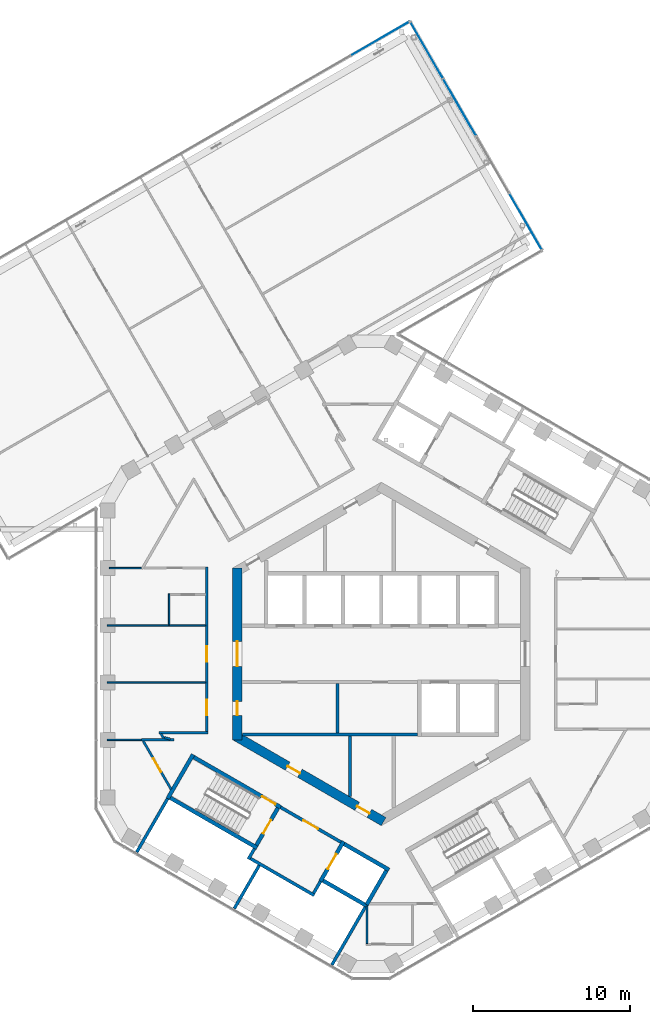
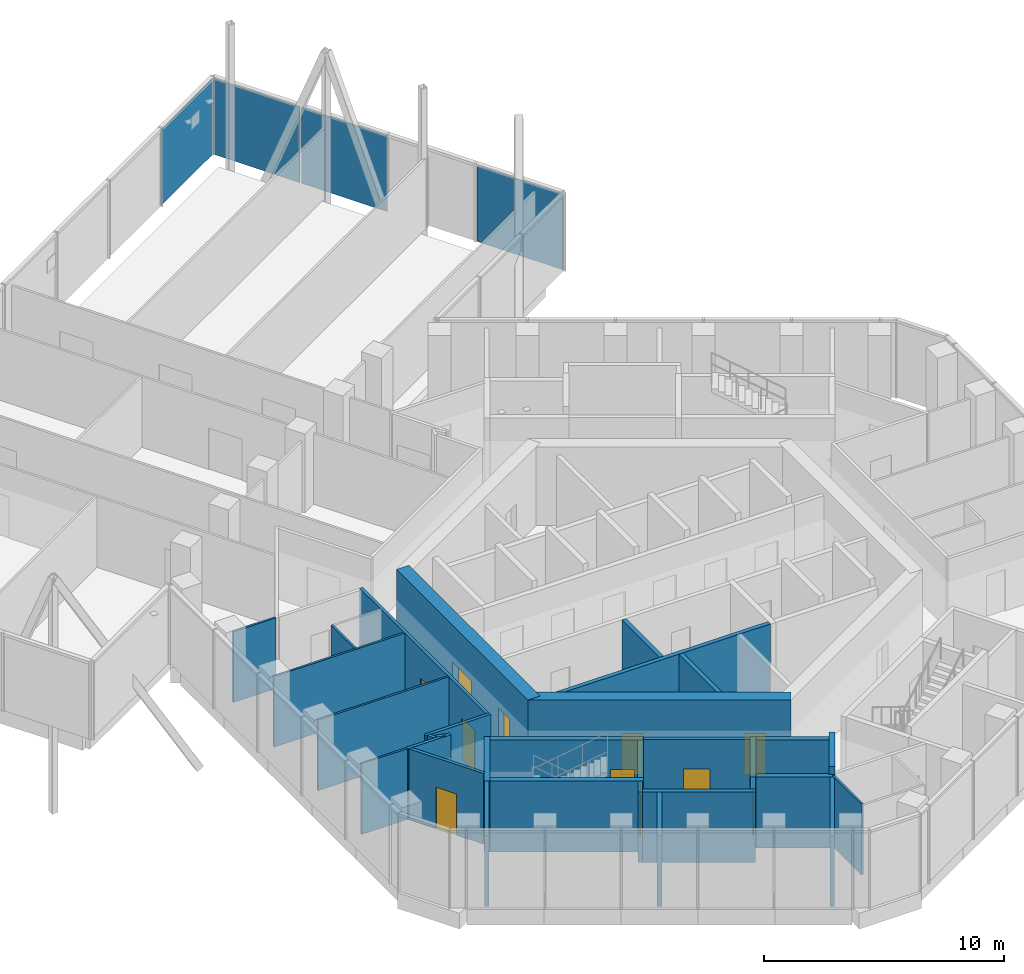
# One storey, part 15 of 21: 32 walls, 11 doors, 4 plates, 11 openings, 2 elements without a shape of their own.
"""IFC4 building model written with IfcOpenShell, lengths in metres."""

from ifc_helpers import new_model, si_unit, direction, frame, frame_2d, origin, origin_2d, place, context, subcontext, project, spatial, rectangle, extrude, material, layer, layer_set, type_object, element, fill, aggregate, save


model = new_model("IFC4")

# Units and contexts
model_context = context("Model", 3, precision=1e-05, world=origin(), true_north=direction((0.0, 1.0)))
body_context = subcontext(model_context, "Body", "Model", "MODEL_VIEW")
ifc_project = project(units=[si_unit("LENGTHUNIT", "METRE"), si_unit("AREAUNIT", "SQUARE_METRE"), si_unit("VOLUMEUNIT", "CUBIC_METRE"), si_unit("PLANEANGLEUNIT", "RADIAN"), si_unit("MASSUNIT", "GRAM", prefix="KILO")], contexts=[model_context])

# Site, building, storey
site_placement = place(None, origin())
site = spatial("IfcSite", under=ifc_project, at=site_placement, CompositionType="ELEMENT")
building_placement = place(site_placement, origin())
building = spatial("IfcBuilding", under=site, at=building_placement, Name="Ayvan Gate Tower", CompositionType="ELEMENT")
storey_placement = place(building_placement, frame((0.0, 0.0, 190.699951171875)))
storey = spatial("IfcBuildingStorey", under=building, at=storey_placement, Name="L51", CompositionType="ELEMENT", Elevation=190.699951171875)

# Curtain wall, plates
ifc_material_1 = material(Name="Bronze anodised aluminium", Category="aluminium")
ifc_layer_1 = layer(ifc_material_1, 0.199951171875)
ifc_layer_set_1 = layer_set([ifc_layer_1], Name="Bronze anodised aluminium")
curtain_wall_type = type_object("IfcCurtainWallType", Name="Stick curtain wall CW-4", PredefinedType="NOTDEFINED", material=ifc_layer_set_1)
curtain_wall_1_placement = place(storey_placement, origin())
curtain_wall_1 = element("IfcCurtainWall", 1, at=curtain_wall_1_placement, inside=storey, type_object=curtain_wall_type, Name="Stick curtain wall CW-4 L51", PredefinedType="NOTDEFINED")
ifc_material_2 = material(Name="Pale anodised aluminium composite panel", Category="aluminium")
ifc_layer_2 = layer(ifc_material_2, 0.028076171875)
ifc_layer_set_2 = layer_set([ifc_layer_2], Name="Pale anodised aluminium composite panel")
plate_type = type_object("IfcPlateType", Name="Stick curtain wall CW-4 solid panel", PredefinedType="CURTAIN_PANEL", material=ifc_layer_set_2)
plate_1_placement = place(storey_placement, frame((9.229736328125, 27.613525390625, 0.0), z_axis=(0.0, 0.0, 1.0), x_axis=(-0.5, 0.866025403784, 0.0)))
plate_1 = element("IfcPlate", 2, at=plate_1_placement, type_object=plate_type, Name="CW-4 solid panel 1", PredefinedType="CURTAIN_PANEL", context=body_context, shape_type="SweptSolid", body=[
    extrude(rectangle(XDim=4.14501953125, YDim=0.028076171875, at=origin_2d()), origin(), (0.0, 0.0, 1.0), 3.860107421875),
])
plate_2_placement = place(storey_placement, frame((5.0048828125, 34.931396484375, 0.0), z_axis=(0.0, 0.0, 1.0), x_axis=(-0.5, 0.866025403784, 0.0)))
plate_2 = element("IfcPlate", 3, at=plate_2_placement, type_object=plate_type, Name="CW-4 solid panel 3", PredefinedType="CURTAIN_PANEL", context=body_context, shape_type="SweptSolid", body=[
    extrude(rectangle(XDim=4.14501953125, YDim=0.028076171875, at=origin_2d()), origin(), (0.0, 0.0, 1.0), 3.860107421875),
])
plate_3_placement = place(storey_placement, frame((2.892333984375, 38.59033203125, 0.0), z_axis=(0.0, 0.0, 1.0), x_axis=(-0.5, 0.866025403784, 0.0)))
plate_3 = element("IfcPlate", 4, at=plate_3_placement, type_object=plate_type, Name="CW-4 solid panel 4", PredefinedType="CURTAIN_PANEL", context=body_context, shape_type="SweptSolid", body=[
    extrude(rectangle(XDim=4.14501953125, YDim=0.028076171875, at=origin_2d()), origin(), (0.0, 0.0, 1.0), 3.860107421875),
])
aggregate(curtain_wall_1, [plate_1, plate_2, plate_3])

# Curtain wall, plate
curtain_wall_2_placement = place(storey_placement, origin())
curtain_wall_2 = element("IfcCurtainWall", 5, at=curtain_wall_2_placement, inside=storey, type_object=curtain_wall_type, Name="Stick curtain wall CW-4 L51", PredefinedType="NOTDEFINED")
plate_4_placement = place(storey_placement, frame((-0.0595703125, 39.325439453125, 0.0), z_axis=(0.0, 0.0, 1.0), x_axis=(-0.866025403784, -0.5, 0.0)))
plate_4 = element("IfcPlate", 6, at=plate_4_placement, type_object=plate_type, Name="CW-4 solid panel 1", PredefinedType="CURTAIN_PANEL", context=body_context, shape_type="SweptSolid", body=[
    extrude(rectangle(XDim=4.2978515625, YDim=0.028076171875, at=origin_2d()), origin(), (0.0, 0.0, 1.0), 3.860107421875),
])
aggregate(curtain_wall_2, [plate_4])

# Wall, openings, doors
ifc_material_3 = material(Name="Concrete C60/75", Category="concrete")
ifc_layer_3 = layer(ifc_material_3, 0.60009765625)
ifc_layer_set_3 = layer_set([ifc_layer_3], Name="Concrete C60/75")
wall_type_1 = type_object("IfcWallType", Name="Core wall 600 C60/75", PredefinedType="SHEAR", material=ifc_layer_set_3)
wall_1_placement = place(storey_placement, frame((-9.199951171875, 5.48486328125, 0.0), z_axis=(0.0, 0.0, 1.0), x_axis=(0.0, -1.0, 0.0)))
wall_1 = element("IfcWall", 7, at=wall_1_placement, inside=storey, type_object=wall_type_1, Name="CORE-L51-3", PredefinedType="SHEAR", context=body_context, shape_type="SweptSolid", body=[
    extrude(rectangle(XDim=10.9697265625, YDim=0.60009765625, at=frame_2d((5.48486328125, 0.0))), origin(), (0.0, 0.0, 1.0), 4.0),
])
opening_1_placement = place(wall_1_placement, frame((8.51611328125, 0.0, 0.0)))
opening_1 = element("IfcOpeningElement", 8, at=opening_1_placement, cuts=wall_1, Name="Opening L51-D51", PredefinedType="OPENING", context=body_context, shape_type="SweptSolid", body=[
    extrude(rectangle(XDim=0.89990234375, YDim=2.10009765625, at=frame_2d((0.449951171875, 1.050048828125))), frame((0.0, 0.31005859375, 0.0), z_axis=(0.0, -1.0, 0.0), x_axis=(1.0, 0.0, 0.0)), (0.0, 0.0, 1.0), 0.6201171875),
])
opening_2_placement = place(wall_1_placement, frame((4.684814453125, 0.0, 0.0)))
opening_2 = element("IfcOpeningElement", 9, at=opening_2_placement, cuts=wall_1, Name="Opening L51-D53", PredefinedType="OPENING", context=body_context, shape_type="SweptSolid", body=[
    extrude(rectangle(XDim=1.60009765625, YDim=2.10009765625, at=frame_2d((0.800048828125, 1.050048828125))), frame((0.0, 0.31005859375, 0.0), z_axis=(0.0, -1.0, 0.0), x_axis=(1.0, 0.0, 0.0)), (0.0, 0.0, 1.0), 0.6201171875),
])
ifc_material_4 = material(Name="Timber door leaf", Category="wood")
door_type_1 = type_object("IfcDoorType", Name="DT-1600", OperationType="NOTDEFINED", PredefinedType="DOOR", material=ifc_material_4)
door_1_placement = place(opening_2_placement, origin())
door_1 = element("IfcDoor", 10, at=door_1_placement, inside=storey, type_object=door_type_1, Name="CD-L51-53", OperationType="SINGLE_SWING_RIGHT", OverallHeight=2.10009765625, OverallWidth=1.60009765625, PredefinedType="DOOR", context=body_context, shape_type="SweptSolid", body=[
    extrude(rectangle(XDim=1.60009765625, YDim=2.10009765625, at=frame_2d((0.800048828125, 1.050048828125))), frame((0.0, 0.02490234375, 0.0), z_axis=(0.0, -1.0, 0.0), x_axis=(1.0, 0.0, 0.0)), (0.0, 0.0, 1.0), 0.050048828125),
])
fill(opening_2, door_1)
door_type_2 = type_object("IfcDoorType", Name="DT-900", OperationType="NOTDEFINED", PredefinedType="DOOR", material=ifc_material_4)
door_2_placement = place(opening_1_placement, origin())
door_2 = element("IfcDoor", 11, at=door_2_placement, inside=storey, type_object=door_type_2, Name="CD-L51-51", OperationType="SINGLE_SWING_RIGHT", OverallHeight=2.10009765625, OverallWidth=0.89990234375, PredefinedType="DOOR", context=body_context, shape_type="SweptSolid", body=[
    extrude(rectangle(XDim=0.89990234375, YDim=2.10009765625, at=frame_2d((0.449951171875, 1.050048828125))), frame((0.0, 0.02490234375, 0.0), z_axis=(0.0, -1.0, 0.0), x_axis=(1.0, 0.0, 0.0)), (0.0, 0.0, 1.0), 0.050048828125),
])
fill(opening_1, door_2)

wall_2_placement = place(storey_placement, frame((-9.35009765625, -5.22509765625, 0.0), z_axis=(0.0, 0.0, 1.0), x_axis=(0.866023993627, -0.500002442456, 0.0)))
wall_2 = element("IfcWall", 12, at=wall_2_placement, inside=storey, type_object=wall_type_1, Name="CORE-L51-4", PredefinedType="SHEAR", context=body_context, shape_type="SweptSolid", body=[
    extrude(rectangle(XDim=10.9697265625, YDim=0.60009765625, at=frame_2d((5.48486328125, 0.0))), origin(), (0.0, 0.0, 1.0), 4.0),
])
opening_3_placement = place(wall_2_placement, frame((3.891357421875, 0.0, 0.0)))
opening_3 = element("IfcOpeningElement", 13, at=opening_3_placement, cuts=wall_2, Name="Opening L51-D48", PredefinedType="OPENING", context=body_context, shape_type="SweptSolid", body=[
    extrude(rectangle(XDim=0.89990234375, YDim=2.10009765625, at=frame_2d((0.449951171875, 1.050048828125))), frame((0.0, 0.31005859375, 0.0), z_axis=(0.0, -1.0, 0.0), x_axis=(1.0, 0.0, 0.0)), (0.0, 0.0, 1.0), 0.6201171875),
])
opening_4_placement = place(wall_2_placement, frame((9.01806640625, 0.0, 0.0)))
opening_4 = element("IfcOpeningElement", 14, at=opening_4_placement, cuts=wall_2, Name="Opening L51-D49", PredefinedType="OPENING", context=body_context, shape_type="SweptSolid", body=[
    extrude(rectangle(XDim=0.89990234375, YDim=2.10009765625, at=frame_2d((0.449951171875, 1.050048828125))), frame((0.0, 0.31005859375, 0.0), z_axis=(0.0, -1.0, 0.0), x_axis=(1.0, 0.0, 0.0)), (0.0, 0.0, 1.0), 0.6201171875),
])
door_3_placement = place(opening_3_placement, origin())
door_3 = element("IfcDoor", 15, at=door_3_placement, inside=storey, type_object=door_type_2, Name="CD-L51-48", OperationType="SINGLE_SWING_LEFT", OverallHeight=2.10009765625, OverallWidth=0.89990234375, PredefinedType="DOOR", context=body_context, shape_type="SweptSolid", body=[
    extrude(rectangle(XDim=0.89990234375, YDim=2.10009765625, at=frame_2d((0.449951171875, 1.050048828125))), frame((0.0, 0.02490234375, 0.0), z_axis=(0.0, -1.0, 0.0), x_axis=(1.0, 0.0, 0.0)), (0.0, 0.0, 1.0), 0.050048828125),
])
fill(opening_3, door_3)
door_4_placement = place(opening_4_placement, origin())
door_4 = element("IfcDoor", 16, at=door_4_placement, inside=storey, type_object=door_type_2, Name="CD-L51-49", OperationType="SINGLE_SWING_RIGHT", OverallHeight=2.10009765625, OverallWidth=0.89990234375, PredefinedType="DOOR", context=body_context, shape_type="SweptSolid", body=[
    extrude(rectangle(XDim=0.89990234375, YDim=2.10009765625, at=frame_2d((0.449951171875, 1.050048828125))), frame((0.0, 0.02490234375, 0.0), z_axis=(0.0, -1.0, 0.0), x_axis=(1.0, 0.0, 0.0)), (0.0, 0.0, 1.0), 0.050048828125),
])
fill(opening_4, door_4)

# Walls
ifc_material_5 = material(Name="Plasterboard on steel stud", Category="steel")
ifc_layer_4 = layer(ifc_material_5, 0.14990234375)
ifc_layer_set_4 = layer_set([ifc_layer_4], Name="Plasterboard on steel stud")
wall_type_2 = type_object("IfcWallType", Name="WT-CORR-150", PredefinedType="PARTITIONING", material=ifc_layer_set_4)
wall_3_placement = place(storey_placement, frame((-15.325927734375, -5.490478515625, 0.0), z_axis=(0.0, 0.0, 1.0), x_axis=(1.0, 0.0, 0.0)))
element("IfcWall", 17, at=wall_3_placement, inside=storey, type_object=wall_type_2, Name="IW-L51-007", PredefinedType="PARTITIONING", context=body_context, shape_type="SweptSolid", body=[
    extrude(rectangle(XDim=2.068603515625, YDim=0.14990234375, at=frame_2d((1.0341796875, 0.0))), origin(), (0.0, 0.0, 1.0), 3.60009765625),
])
wall_4_placement = place(storey_placement, frame((-14.18701171875, -5.04052734375, 0.0), z_axis=(0.0, 0.0, 1.0), x_axis=(1.0, 0.0, 0.0)))
element("IfcWall", 18, at=wall_4_placement, inside=storey, type_object=wall_type_2, Name="IW-L51-009", PredefinedType="PARTITIONING", context=body_context, shape_type="SweptSolid", body=[
    extrude(rectangle(XDim=3.112060546875, YDim=0.14990234375, at=frame_2d((1.55615234375, 0.0))), origin(), (0.0, 0.0, 1.0), 3.60009765625),
])
wall_5_placement = place(storey_placement, frame((-13.90771484375, -5.37939453125, 0.0), z_axis=(0.0, 0.0, 1.0), x_axis=(-0.516174148431, 0.856483653371, 0.0)))
element("IfcWall", 19, at=wall_5_placement, inside=storey, type_object=wall_type_2, Name="IW-L51-010", PredefinedType="PARTITIONING", context=body_context, shape_type="SweptSolid", body=[
    extrude(rectangle(XDim=0.32080078125, YDim=0.14990234375, at=frame_2d((0.160400390625, 0.0))), origin(), (0.0, 0.0, 1.0), 3.60009765625),
])
wall_6_placement = place(storey_placement, frame((-13.473388671875, -5.436279296875, 0.0), z_axis=(0.0, 0.0, 1.0), x_axis=(-0.968736704431, 0.248091107232, 0.0)))
element("IfcWall", 20, at=wall_6_placement, inside=storey, type_object=wall_type_2, Name="IW-L51-014", PredefinedType="PARTITIONING", context=body_context, shape_type="SweptSolid", body=[
    extrude(rectangle(XDim=0.413330078125, YDim=0.14990234375, at=frame_2d((0.20654296875, 0.0))), origin(), (0.0, 0.0, 1.0), 3.60009765625),
])

# Wall, opening, door
wall_7_placement = place(storey_placement, frame((-13.429931640625, -8.644775390625, 0.0), z_axis=(0.0, 0.0, 1.0), x_axis=(-0.499959432603, 0.866048824115, 0.0)))
wall_7 = element("IfcWall", 21, at=wall_7_placement, inside=storey, type_object=wall_type_2, Name="IW-L51-015", PredefinedType="PARTITIONING", context=body_context, shape_type="SweptSolid", body=[
    extrude(rectangle(XDim=3.567138671875, YDim=0.14990234375, at=frame_2d((1.78369140625, 0.0))), origin(), (0.0, 0.0, 1.0), 3.60009765625),
])
opening_5_placement = place(wall_7_placement, frame((1.28369140625, 0.0, 0.0)))
opening_5 = element("IfcOpeningElement", 22, at=opening_5_placement, cuts=wall_7, Name="Opening L51-D30", PredefinedType="OPENING", context=body_context, shape_type="SweptSolid", body=[
    extrude(rectangle(XDim=1.0, YDim=2.10009765625, at=frame_2d((0.5, 1.050048828125))), frame((0.0, 0.0849609375, 0.0), z_axis=(0.0, -1.0, 0.0), x_axis=(1.0, 0.0, 0.0)), (0.0, 0.0, 1.0), 0.169921875),
])
door_type_3 = type_object("IfcDoorType", Name="DT-1000", OperationType="NOTDEFINED", PredefinedType="DOOR", material=ifc_material_4)
door_5_placement = place(opening_5_placement, origin())
door_5 = element("IfcDoor", 23, at=door_5_placement, inside=storey, type_object=door_type_3, Name="ID-L51-030", OperationType="SINGLE_SWING_LEFT", OverallHeight=2.10009765625, OverallWidth=1.0, PredefinedType="DOOR", context=body_context, shape_type="SweptSolid", body=[
    extrude(rectangle(XDim=1.0, YDim=2.10009765625, at=frame_2d((0.5, 1.050048828125))), frame((0.0, 0.02490234375, 0.0), z_axis=(0.0, -1.0, 0.0), x_axis=(1.0, 0.0, 0.0)), (0.0, 0.0, 1.0), 0.050048828125),
])
fill(opening_5, door_5)

# Wall, openings, doors
wall_8_placement = place(storey_placement, frame((-11.14990234375, 5.5654296875, 0.0), z_axis=(0.0, 0.0, 1.0), x_axis=(0.0, -1.0, 0.0)))
wall_8 = element("IfcWall", 24, at=wall_8_placement, inside=storey, type_object=wall_type_2, Name="IW-L51-022", PredefinedType="PARTITIONING", context=body_context, shape_type="SweptSolid", body=[
    extrude(rectangle(XDim=10.531005859375, YDim=0.14990234375, at=frame_2d((5.265625, 0.0))), origin(), (0.0, 0.0, 1.0), 3.60009765625),
])
opening_6_placement = place(wall_8_placement, frame((5.0654296875, 0.0, 0.0)))
opening_6 = element("IfcOpeningElement", 25, at=opening_6_placement, cuts=wall_8, Name="Opening L51-D28", PredefinedType="OPENING", context=body_context, shape_type="SweptSolid", body=[
    extrude(rectangle(XDim=1.0, YDim=2.10009765625, at=frame_2d((0.5, 1.050048828125))), frame((0.0, 0.0849609375, 0.0), z_axis=(0.0, -1.0, 0.0), x_axis=(1.0, 0.0, 0.0)), (0.0, 0.0, 1.0), 0.169921875),
])
opening_7_placement = place(wall_8_placement, frame((8.478515625, 0.0, 0.0)))
opening_7 = element("IfcOpeningElement", 26, at=opening_7_placement, cuts=wall_8, Name="Opening L51-D29", PredefinedType="OPENING", context=body_context, shape_type="SweptSolid", body=[
    extrude(rectangle(XDim=1.0, YDim=2.10009765625, at=frame_2d((0.5, 1.050048828125))), frame((0.0, 0.0849609375, 0.0), z_axis=(0.0, -1.0, 0.0), x_axis=(1.0, 0.0, 0.0)), (0.0, 0.0, 1.0), 0.169921875),
])
door_6_placement = place(opening_6_placement, origin())
door_6 = element("IfcDoor", 27, at=door_6_placement, inside=storey, type_object=door_type_3, Name="ID-L51-028", OperationType="SINGLE_SWING_LEFT", OverallHeight=2.10009765625, OverallWidth=1.0, PredefinedType="DOOR", context=body_context, shape_type="SweptSolid", body=[
    extrude(rectangle(XDim=1.0, YDim=2.10009765625, at=frame_2d((0.5, 1.050048828125))), frame((0.0, 0.02490234375, 0.0), z_axis=(0.0, -1.0, 0.0), x_axis=(1.0, 0.0, 0.0)), (0.0, 0.0, 1.0), 0.050048828125),
])
fill(opening_6, door_6)
door_7_placement = place(opening_7_placement, origin())
door_7 = element("IfcDoor", 28, at=door_7_placement, inside=storey, type_object=door_type_3, Name="ID-L51-029", OperationType="SINGLE_SWING_RIGHT", OverallHeight=2.10009765625, OverallWidth=1.0, PredefinedType="DOOR", context=body_context, shape_type="SweptSolid", body=[
    extrude(rectangle(XDim=1.0, YDim=2.10009765625, at=frame_2d((0.5, 1.050048828125))), frame((0.0, 0.02490234375, 0.0), z_axis=(0.0, -1.0, 0.0), x_axis=(1.0, 0.0, 0.0)), (0.0, 0.0, 1.0), 0.050048828125),
])
fill(opening_7, door_7)

# Walls
ifc_layer_5 = layer(ifc_material_5, 0.10009765625)
ifc_layer_set_5 = layer_set([ifc_layer_5], Name="Plasterboard on steel stud")
wall_type_3 = type_object("IfcWallType", Name="WT-PART-100", PredefinedType="PARTITIONING", material=ifc_layer_set_5)
wall_9_placement = place(storey_placement, frame((-17.373291015625, 5.490478515625, 0.0), z_axis=(0.0, 0.0, 1.0), x_axis=(1.0, 0.0, 0.0)))
element("IfcWall", 29, at=wall_9_placement, inside=storey, type_object=wall_type_3, Name="IW-L51-002", PredefinedType="PARTITIONING", context=body_context, shape_type="SweptSolid", body=[
    extrude(rectangle(XDim=2.047607421875, YDim=0.10009765625, at=frame_2d((1.02392578125, 0.0))), origin(), (0.0, 0.0, 1.0), 3.60009765625),
])
wall_10_placement = place(storey_placement, frame((-15.32568359375, -5.490478515625, 0.0), z_axis=(0.0, 0.0, 1.0), x_axis=(-1.0, 0.0, 0.0)))
element("IfcWall", 30, at=wall_10_placement, inside=storey, type_object=wall_type_3, Name="IW-L51-008", PredefinedType="PARTITIONING", context=body_context, shape_type="SweptSolid", body=[
    extrude(rectangle(XDim=2.197509765625, YDim=0.10009765625, at=frame_2d((1.0986328125, 0.0))), origin(), (0.0, 0.0, 1.0), 3.60009765625),
])
wall_11_placement = place(storey_placement, frame((-17.523193359375, 1.830078125, 0.0), z_axis=(0.0, 0.0, 1.0), x_axis=(1.0, 0.0, 0.0)))
element("IfcWall", 31, at=wall_11_placement, inside=storey, type_object=wall_type_3, Name="IW-L51-012", PredefinedType="PARTITIONING", context=body_context, shape_type="SweptSolid", body=[
    extrude(rectangle(XDim=6.298095703125, YDim=0.10009765625, at=frame_2d((3.14892578125, 0.0))), origin(), (0.0, 0.0, 1.0), 3.60009765625),
])
wall_12_placement = place(storey_placement, frame((-13.550048828125, 3.840576171875, 0.0), z_axis=(0.0, 0.0, 1.0), x_axis=(0.0, -1.0, 0.0)))
element("IfcWall", 32, at=wall_12_placement, inside=storey, type_object=wall_type_3, Name="IW-L51-013", PredefinedType="PARTITIONING", context=body_context, shape_type="SweptSolid", body=[
    extrude(rectangle(XDim=1.96044921875, YDim=0.10009765625, at=frame_2d((0.980224609375, 0.0))), origin(), (0.0, 0.0, 1.0), 3.60009765625),
])
wall_13_placement = place(storey_placement, frame((-11.22509765625, -1.830078125, 0.0), z_axis=(0.0, 0.0, 1.0), x_axis=(-1.0, 0.0, 0.0)))
element("IfcWall", 33, at=wall_13_placement, inside=storey, type_object=wall_type_3, Name="IW-L51-025", PredefinedType="PARTITIONING", context=body_context, shape_type="SweptSolid", body=[
    extrude(rectangle(XDim=6.298095703125, YDim=0.10009765625, at=frame_2d((3.14892578125, 0.0))), origin(), (0.0, 0.0, 1.0), 3.60009765625),
])
wall_14_placement = place(storey_placement, frame((-0.913818359375, -16.10791015625, 0.0), z_axis=(0.0, 0.0, 1.0), x_axis=(0.0, -1.0, 0.0)))
element("IfcWall", 34, at=wall_14_placement, inside=storey, type_object=wall_type_3, Name="IW-L51-060", PredefinedType="PARTITIONING", context=body_context, shape_type="SweptSolid", body=[
    extrude(rectangle(XDim=2.39501953125, YDim=0.10009765625, at=frame_2d((1.197509765625, 0.0))), origin(), (0.0, 0.0, 1.0), 3.60009765625),
])
ifc_layer_6 = layer(ifc_material_5, 0.199951171875)
ifc_layer_set_6 = layer_set([ifc_layer_6], Name="Plasterboard on steel stud")
wall_type_4 = type_object("IfcWallType", Name="WT-PLUMB-200", PredefinedType="PLUMBINGWALL", material=ifc_layer_set_6)
wall_15_placement = place(storey_placement, frame((-15.626708984375, -12.666259765625, 0.0), z_axis=(0.0, 0.0, 1.0), x_axis=(0.499980548326, 0.866036633923, 0.0)))
element("IfcWall", 35, at=wall_15_placement, inside=storey, type_object=wall_type_4, Name="IW-L51-005", PredefinedType="PLUMBINGWALL", context=body_context, shape_type="SweptSolid", body=[
    extrude(rectangle(XDim=3.957763671875, YDim=0.199951171875, at=frame_2d((1.97900390625, 0.0))), origin(), (0.0, 0.0, 1.0), 3.60009765625),
])
wall_16_placement = place(storey_placement, frame((-8.492919921875, -13.110107421875, 0.0), z_axis=(0.0, 0.0, 1.0), x_axis=(0.500067724834, 0.865986299303, 0.0)))
element("IfcWall", 36, at=wall_16_placement, inside=storey, type_object=wall_type_4, Name="IW-L51-030", PredefinedType="PLUMBINGWALL", context=body_context, shape_type="SweptSolid", body=[
    extrude(rectangle(XDim=0.775390625, YDim=0.199951171875, at=frame_2d((0.3876953125, 0.0))), origin(), (0.0, 0.0, 1.0), 3.60009765625),
])
wall_17_placement = place(storey_placement, frame((-7.800048828125, -13.510009765625, 0.0), z_axis=(0.0, 0.0, 1.0), x_axis=(-0.500016846771, -0.866015677078, 0.0)))
element("IfcWall", 37, at=wall_17_placement, inside=storey, type_object=wall_type_4, Name="IW-L51-032", PredefinedType="PLUMBINGWALL", context=body_context, shape_type="SweptSolid", body=[
    extrude(rectangle(XDim=3.1826171875, YDim=0.199951171875, at=frame_2d((1.59130859375, 0.0))), origin(), (0.0, 0.0, 1.0), 3.60009765625),
])
wall_18_placement = place(storey_placement, frame((-8.356201171875, -13.073486328125, 0.0), z_axis=(0.0, 0.0, 1.0), x_axis=(0.866038532462, -0.499977259774, 0.0)))
element("IfcWall", 38, at=wall_18_placement, inside=storey, type_object=wall_type_4, Name="IW-L51-033", PredefinedType="PLUMBINGWALL", context=body_context, shape_type="SweptSolid", body=[
    extrude(rectangle(XDim=4.699951171875, YDim=0.199951171875, at=frame_2d((2.35009765625, 0.0))), origin(), (0.0, 0.0, 1.0), 3.60009765625),
])
wall_19_placement = place(storey_placement, frame((-3.885009765625, -14.52880859375, 0.0), z_axis=(0.0, 0.0, 1.0), x_axis=(-0.499859285417, -0.866106630146, 0.0)))
element("IfcWall", 39, at=wall_19_placement, inside=storey, type_object=wall_type_4, Name="IW-L51-042", PredefinedType="PLUMBINGWALL", context=body_context, shape_type="SweptSolid", body=[
    extrude(rectangle(XDim=0.875244140625, YDim=0.199951171875, at=frame_2d((0.4375, 0.0))), origin(), (0.0, 0.0, 1.0), 3.60009765625),
])
wall_20_placement = place(storey_placement, frame((-1.027099609375, -16.178955078125, 0.0), z_axis=(0.0, 0.0, 1.0), x_axis=(-0.500011993549, -0.866018479195, 0.0)))
element("IfcWall", 40, at=wall_20_placement, inside=storey, type_object=wall_type_4, Name="IW-L51-057", PredefinedType="PLUMBINGWALL", context=body_context, shape_type="SweptSolid", body=[
    extrude(rectangle(XDim=4.2578125, YDim=0.199951171875, at=frame_2d((2.12890625, 0.0))), origin(), (0.0, 0.0, 1.0), 3.60009765625),
])
ifc_layer_7 = layer(ifc_material_5, 0.199951171875)
ifc_layer_set_7 = layer_set([ifc_layer_7], Name="Plasterboard on steel stud")
wall_type_5 = type_object("IfcWallType", Name="WT-RATED-200", PredefinedType="PARTITIONING", material=ifc_layer_set_7)
wall_21_placement = place(storey_placement, frame((-8.8798828125, -5.14990234375, 0.0), z_axis=(0.0, 0.0, 1.0), x_axis=(1.0, 0.0, 0.0)))
element("IfcWall", 41, at=wall_21_placement, inside=storey, type_object=wall_type_5, Name="IW-L51-029", PredefinedType="PARTITIONING", context=body_context, shape_type="SweptSolid", body=[
    extrude(rectangle(XDim=11.205078125, YDim=0.199951171875, at=frame_2d((5.6025390625, 0.0))), origin(), (0.0, 0.0, 1.0), 3.60009765625),
])

# Wall, opening, door
wall_22_placement = place(storey_placement, frame((-6.4345703125, -9.794921875, 0.0), z_axis=(0.0, 0.0, 1.0), x_axis=(0.866012907634, -0.500021643343, 0.0)))
wall_22 = element("IfcWall", 42, at=wall_22_placement, inside=storey, type_object=wall_type_5, Name="IW-L51-039", PredefinedType="PARTITIONING", context=body_context, shape_type="SweptSolid", body=[
    extrude(rectangle(XDim=4.449951171875, YDim=0.199951171875, at=frame_2d((2.22509765625, 0.0))), origin(), (0.0, 0.0, 1.0), 3.60009765625),
])
opening_8_placement = place(wall_22_placement, frame((1.675048828125, 0.0, 0.0)))
opening_8 = element("IfcOpeningElement", 43, at=opening_8_placement, cuts=wall_22, Name="Opening L51-D16", PredefinedType="OPENING", context=body_context, shape_type="SweptSolid", body=[
    extrude(rectangle(XDim=1.10009765625, YDim=2.10009765625, at=frame_2d((0.550048828125, 1.050048828125))), frame((0.0, 0.10986328125, 0.0), z_axis=(0.0, -1.0, 0.0), x_axis=(1.0, 0.0, 0.0)), (0.0, 0.0, 1.0), 0.219970703125),
])
door_type_4 = type_object("IfcDoorType", Name="DT-1100", OperationType="NOTDEFINED", PredefinedType="DOOR", material=ifc_material_4)
door_8_placement = place(opening_8_placement, origin())
door_8 = element("IfcDoor", 44, at=door_8_placement, inside=storey, type_object=door_type_4, Name="ID-L51-016", OperationType="SINGLE_SWING_LEFT", OverallHeight=2.10009765625, OverallWidth=1.10009765625, PredefinedType="DOOR", context=body_context, shape_type="SweptSolid", body=[
    extrude(rectangle(XDim=1.10009765625, YDim=2.10009765625, at=frame_2d((0.550048828125, 1.050048828125))), frame((0.0, 0.02490234375, 0.0), z_axis=(0.0, -1.0, 0.0), x_axis=(1.0, 0.0, 0.0)), (0.0, 0.0, 1.0), 0.050048828125),
])
fill(opening_8, door_8)

# Walls
wall_23_placement = place(storey_placement, frame((-2.800048828125, -1.89990234375, 0.0), z_axis=(0.0, 0.0, 1.0), x_axis=(0.0, -1.0, 0.0)))
element("IfcWall", 45, at=wall_23_placement, inside=storey, type_object=wall_type_5, Name="IW-L51-046", PredefinedType="PARTITIONING", context=body_context, shape_type="SweptSolid", body=[
    extrude(rectangle(XDim=3.150146484375, YDim=0.199951171875, at=frame_2d((1.5751953125, 0.0))), origin(), (0.0, 0.0, 1.0), 3.60009765625),
])
wall_24_placement = place(storey_placement, frame((-2.0, -5.25, 0.0), z_axis=(0.0, 0.0, 1.0), x_axis=(0.0, -1.0, 0.0)))
element("IfcWall", 46, at=wall_24_placement, inside=storey, type_object=wall_type_5, Name="IW-L51-055", PredefinedType="PARTITIONING", context=body_context, shape_type="SweptSolid", body=[
    extrude(rectangle(XDim=3.8720703125, YDim=0.199951171875, at=frame_2d((1.93603515625, 0.0))), origin(), (0.0, 0.0, 1.0), 3.60009765625),
])
ifc_material_6 = material(Name="Concrete C50/60", Category="concrete")
ifc_layer_8 = layer(ifc_material_6, 0.25)
ifc_layer_set_8 = layer_set([ifc_layer_8], Name="Concrete C50/60")
wall_type_6 = type_object("IfcWallType", Name="WT-RC-250", PredefinedType="SHEAR", material=ifc_layer_set_8)
wall_25_placement = place(storey_placement, frame((-13.64794921875, -9.23876953125, 0.0), z_axis=(0.0, 0.0, 1.0), x_axis=(0.500017246033, 0.866015446554, 0.0)))
element("IfcWall", 47, at=wall_25_placement, inside=storey, type_object=wall_type_6, Name="IW-L51-011", PredefinedType="SHEAR", context=body_context, shape_type="SweptSolid", body=[
    extrude(rectangle(XDim=3.25, YDim=0.25, at=frame_2d((1.625, 0.0))), origin(), (0.0, 0.0, 1.0), 3.60009765625),
])

# Wall, opening, door
wall_26_placement = place(storey_placement, frame((-11.97705078125, -6.594970703125, 0.0), z_axis=(0.0, 0.0, 1.0), x_axis=(0.866025499775, -0.499999833739, 0.0)))
wall_26 = element("IfcWall", 48, at=wall_26_placement, inside=storey, type_object=wall_type_6, Name="IW-L51-018", PredefinedType="SHEAR", context=body_context, shape_type="SweptSolid", body=[
    extrude(rectangle(XDim=6.39990234375, YDim=0.25, at=frame_2d((3.199951171875, 0.0))), origin(), (0.0, 0.0, 1.0), 3.60009765625),
])
opening_9_placement = place(wall_26_placement, frame((5.02490234375, 0.0, 0.0)))
opening_9 = element("IfcOpeningElement", 49, at=opening_9_placement, cuts=wall_26, Name="Opening L51-D14", PredefinedType="OPENING", context=body_context, shape_type="SweptSolid", body=[
    extrude(rectangle(XDim=1.0, YDim=2.10009765625, at=frame_2d((0.5, 1.050048828125))), frame((0.0, 0.135009765625, 0.0), z_axis=(0.0, -1.0, 0.0), x_axis=(1.0, 0.0, 0.0)), (0.0, 0.0, 1.0), 0.27001953125),
])
door_9_placement = place(opening_9_placement, origin())
door_9 = element("IfcDoor", 50, at=door_9_placement, inside=storey, type_object=door_type_3, Name="ID-L51-014", OperationType="SINGLE_SWING_LEFT", OverallHeight=2.10009765625, OverallWidth=1.0, PredefinedType="DOOR", context=body_context, shape_type="SweptSolid", body=[
    extrude(rectangle(XDim=1.0, YDim=2.10009765625, at=frame_2d((0.5, 1.050048828125))), frame((0.0, 0.02490234375, 0.0), z_axis=(0.0, -1.0, 0.0), x_axis=(1.0, 0.0, 0.0)), (0.0, 0.0, 1.0), 0.050048828125),
])
fill(opening_9, door_9)

# Wall
wall_27_placement = place(storey_placement, frame((-7.9345703125, -12.39306640625, 0.0), z_axis=(0.0, 0.0, 1.0), x_axis=(-0.866025499775, 0.499999833739, 0.0)))
element("IfcWall", 51, at=wall_27_placement, inside=storey, type_object=wall_type_6, Name="IW-L51-031", PredefinedType="SHEAR", context=body_context, shape_type="SweptSolid", body=[
    extrude(rectangle(XDim=6.39990234375, YDim=0.25, at=frame_2d((3.199951171875, 0.0))), origin(), (0.0, 0.0, 1.0), 3.60009765625),
])

# Wall, opening, door
wall_28_placement = place(storey_placement, frame((-6.605224609375, -9.8408203125, 0.0), z_axis=(0.0, 0.0, 1.0), x_axis=(-0.499996545922, -0.866027397988, 0.0)))
wall_28 = element("IfcWall", 52, at=wall_28_placement, inside=storey, type_object=wall_type_6, Name="IW-L51-038", PredefinedType="SHEAR", context=body_context, shape_type="SweptSolid", body=[
    extrude(rectangle(XDim=2.75, YDim=0.25, at=frame_2d((1.375, 0.0))), origin(), (0.0, 0.0, 1.0), 3.60009765625),
])
opening_10_placement = place(wall_28_placement, frame((0.875, 0.0, 0.0)))
opening_10 = element("IfcOpeningElement", 53, at=opening_10_placement, cuts=wall_28, Name="Opening L51-D15", PredefinedType="OPENING", context=body_context, shape_type="SweptSolid", body=[
    extrude(rectangle(XDim=1.0, YDim=2.10009765625, at=frame_2d((0.5, 1.050048828125))), frame((0.0, 0.135009765625, 0.0), z_axis=(0.0, -1.0, 0.0), x_axis=(1.0, 0.0, 0.0)), (0.0, 0.0, 1.0), 0.27001953125),
])
door_10_placement = place(opening_10_placement, origin())
door_10 = element("IfcDoor", 54, at=door_10_placement, inside=storey, type_object=door_type_3, Name="ID-L51-015", OperationType="SINGLE_SWING_RIGHT", OverallHeight=2.10009765625, OverallWidth=1.0, PredefinedType="DOOR", context=body_context, shape_type="SweptSolid", body=[
    extrude(rectangle(XDim=1.0, YDim=2.10009765625, at=frame_2d((0.5, 1.050048828125))), frame((0.0, 0.02490234375, 0.0), z_axis=(0.0, -1.0, 0.0), x_axis=(1.0, 0.0, 0.0)), (0.0, 0.0, 1.0), 0.050048828125),
])
fill(opening_10, door_10)

wall_29_placement = place(storey_placement, frame((-2.409912109375, -11.97412109375, 0.0), z_axis=(0.0, 0.0, 1.0), x_axis=(-0.500001826776, -0.866024349092, 0.0)))
wall_29 = element("IfcWall", 55, at=wall_29_placement, inside=storey, type_object=wall_type_6, Name="IW-L51-049", PredefinedType="SHEAR", context=body_context, shape_type="SweptSolid", body=[
    extrude(rectangle(XDim=2.9501953125, YDim=0.25, at=frame_2d((1.47509765625, 0.0))), origin(), (0.0, 0.0, 1.0), 3.60009765625),
])
opening_11_placement = place(wall_29_placement, frame((0.925048828125, 0.0, 0.0)))
opening_11 = element("IfcOpeningElement", 56, at=opening_11_placement, cuts=wall_29, Name="Opening L51-LD-FF2", PredefinedType="OPENING", context=body_context, shape_type="SweptSolid", body=[
    extrude(rectangle(XDim=1.10009765625, YDim=2.10009765625, at=frame_2d((0.550048828125, 1.050048828125))), frame((0.0, 0.135009765625, 0.0), z_axis=(0.0, -1.0, 0.0), x_axis=(1.0, 0.0, 0.0)), (0.0, 0.0, 1.0), 0.27001953125),
])
ifc_material_7 = material(Name="Stainless steel landing door", Category="steel")
door_type_5 = type_object("IfcDoorType", Name="DT-LANDING-1100", OperationType="SLIDING_TO_LEFT", PredefinedType="DOOR", material=ifc_material_7)
door_11_placement = place(opening_11_placement, origin())
door_11 = element("IfcDoor", 57, at=door_11_placement, inside=storey, type_object=door_type_5, Name="ID-L51-017", OperationType="SLIDING_TO_LEFT", OverallHeight=2.10009765625, OverallWidth=1.10009765625, PredefinedType="DOOR", context=body_context, shape_type="SweptSolid", body=[
    extrude(rectangle(XDim=1.10009765625, YDim=2.10009765625, at=frame_2d((0.550048828125, 1.050048828125))), frame((0.0, 0.02490234375, 0.0), z_axis=(0.0, -1.0, 0.0), x_axis=(1.0, 0.0, 0.0)), (0.0, 0.0, 1.0), 0.050048828125),
])
fill(opening_11, door_11)

# Walls
wall_30_placement = place(storey_placement, frame((-2.3642578125, -12.14501953125, 0.0), z_axis=(0.0, 0.0, 1.0), x_axis=(0.866040211805, -0.499974350878, 0.0)))
element("IfcWall", 58, at=wall_30_placement, inside=storey, type_object=wall_type_6, Name="IW-L51-050", PredefinedType="SHEAR", context=body_context, shape_type="SweptSolid", body=[
    extrude(rectangle(XDim=3.300048828125, YDim=0.25, at=frame_2d((1.64990234375, 0.0))), origin(), (0.0, 0.0, 1.0), 3.60009765625),
])
wall_31_placement = place(storey_placement, frame((-0.8564453125, -16.13330078125, 0.0), z_axis=(0.0, 0.0, 1.0), x_axis=(-0.866021716278, 0.500006386895, 0.0)))
element("IfcWall", 59, at=wall_31_placement, inside=storey, type_object=wall_type_6, Name="IW-L51-058", PredefinedType="SHEAR", context=body_context, shape_type="SweptSolid", body=[
    extrude(rectangle(XDim=3.2998046875, YDim=0.25, at=frame_2d((1.64990234375, 0.0))), origin(), (0.0, 0.0, 1.0), 3.60009765625),
])
wall_32_placement = place(storey_placement, frame((0.322998046875, -13.8408203125, 0.0), z_axis=(0.0, 0.0, 1.0), x_axis=(-0.500013859761, -0.8660174017, 0.0)))
element("IfcWall", 60, at=wall_32_placement, inside=storey, type_object=wall_type_6, Name="IW-L51-064", PredefinedType="SHEAR", context=body_context, shape_type="SweptSolid", body=[
    extrude(rectangle(XDim=2.51416015625, YDim=0.25, at=frame_2d((1.257080078125, 0.0))), origin(), (0.0, 0.0, 1.0), 4.0),
])

save(model, "model.ifc")
